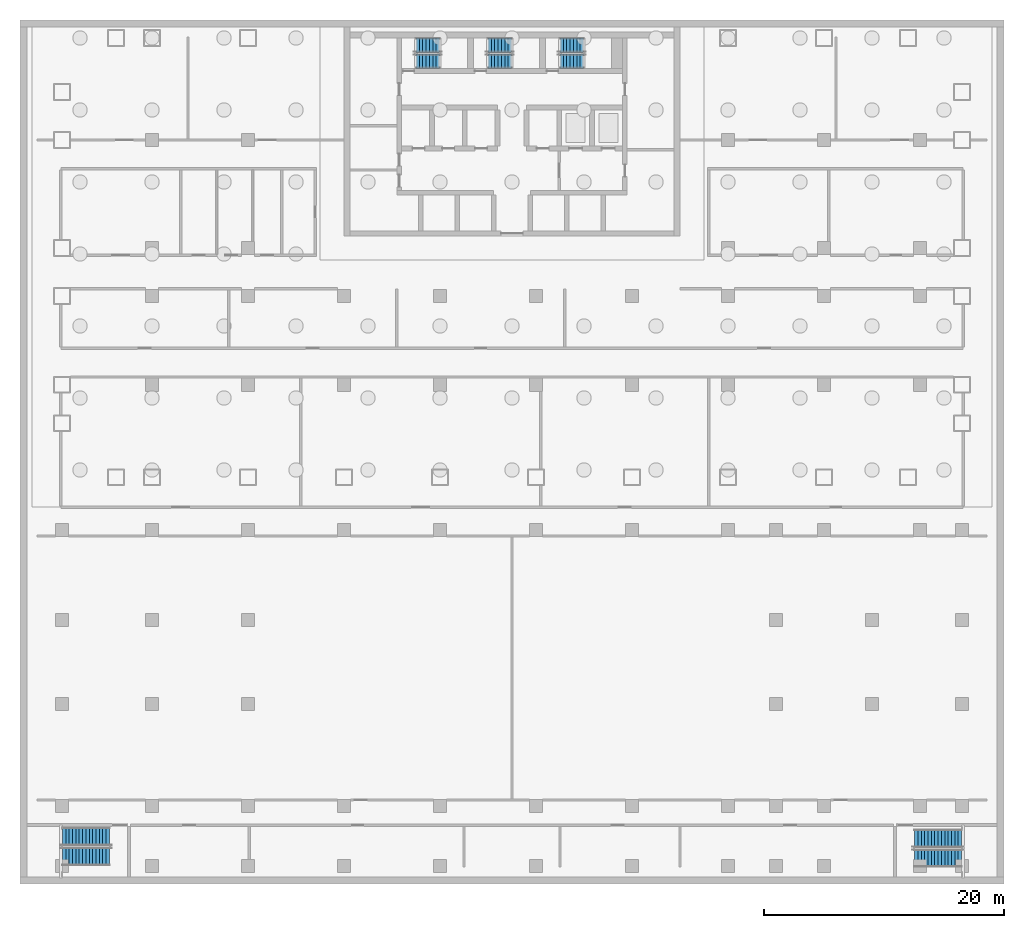
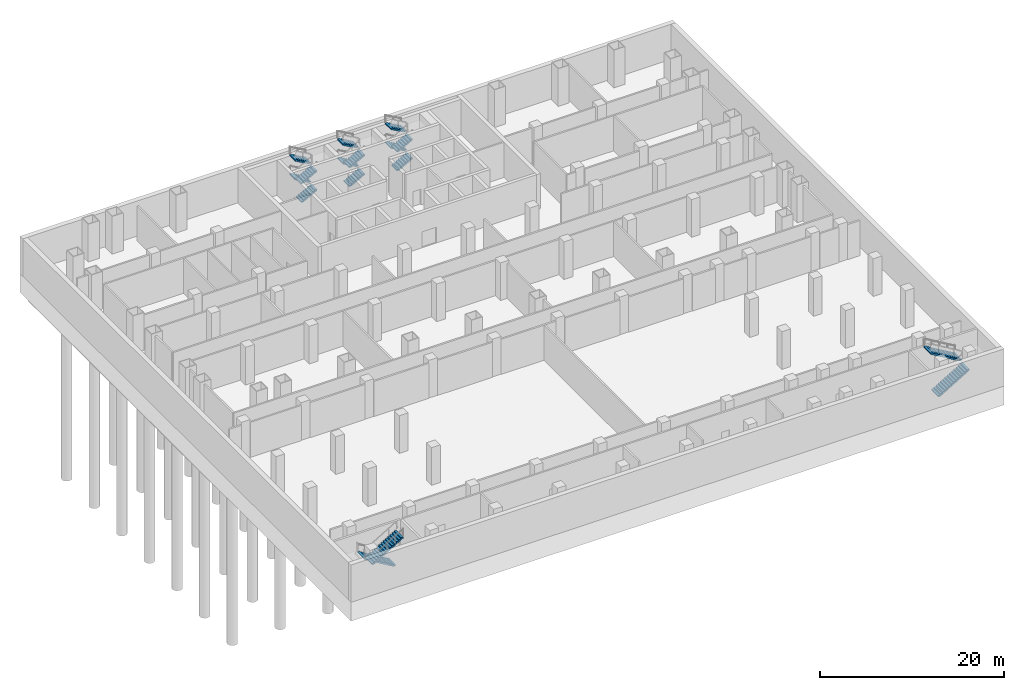
# One storey, part 10 of 14: 16 stair flights, 5 elements without a shape of their own.
"""IFC4 building model written with IfcOpenShell, lengths in metres."""

import ifcopenshell
import ifcopenshell.guid

model = None  # the IFC model being written
_history = None  # IfcOwnerHistory: only IFC2X3 demands one
_inside = {}  # id of a spatial element -> (the spatial element, [elements in it])
_under = {}  # id of a project, library or spatial element -> (it, [spatial elements below it])
_declared = {}  # id of a project -> (the project, [libraries it declares])
_typed = {}  # id of a type object -> (the type object, [elements of that type])
_made_of = {}  # id of a material, layer set ... -> (it, [elements and type objects made of it])


def new_model(schema):
    """Start an empty IFC model of exactly this schema.

    Asked for "IFC4X3", IfcOpenShell would pick the latest addendum, in which some entities
    have other attributes; the version numbers below select the first issue.
    IFC2X3 requires an IfcOwnerHistory on every rooted entity: one is made here for all.
    """
    global model, _history
    if schema == "IFC4X3":
        model = ifcopenshell.file(schema_version=(4, 3, 0, 0))
    else:
        model = ifcopenshell.file(schema=schema)
    _inside.clear()
    _under.clear()
    _declared.clear()
    _typed.clear()
    _made_of.clear()
    _history = None
    if model.schema == "IFC2X3":
        org = make("IfcOrganization", Name="unknown")
        user = make(
            "IfcPersonAndOrganization",
            ThePerson=make("IfcPerson", FamilyName="unknown"),
            TheOrganization=org,
        )
        app = make(
            "IfcApplication",
            ApplicationDeveloper=org,
            Version="unknown",
            ApplicationFullName="unknown",
            ApplicationIdentifier="unknown",
        )
        _history = make(
            "IfcOwnerHistory",
            OwningUser=user,
            OwningApplication=app,
            ChangeAction="ADDED",
            CreationDate=0,
        )
    return model


def make(cls, **values):
    """One entity of the class cls with the attributes given. An attribute that is None is left unset."""
    return model.create_entity(
        cls, **{name: value for name, value in values.items() if value is not None}
    )


def rooted(cls, **values):
    """An entity with a GlobalId (a new one), such as an element, a storey or a relation."""
    return make(cls, GlobalId=ifcopenshell.guid.new(), OwnerHistory=_history, **values)


def si_unit(unit_type, name, prefix=None):
    """IfcSIUnit, for example si_unit("LENGTHUNIT", "METRE", prefix="MILLI")."""
    return make("IfcSIUnit", UnitType=unit_type, Prefix=prefix, Name=name)


def assignment(units):
    """IfcUnitAssignment: the units of a project."""
    return None if units is None else make("IfcUnitAssignment", Units=units)


def point(xyz):
    """IfcCartesianPoint."""
    return None if xyz is None else make("IfcCartesianPoint", Coordinates=xyz)


def direction(xyz):
    """IfcDirection."""
    return None if xyz is None else make("IfcDirection", DirectionRatios=xyz)


def frame(location, z_axis=None, x_axis=None):
    """IfcAxis2Placement3D, a coordinate frame: its origin and axes. An axis left out is left unset."""
    return make(
        "IfcAxis2Placement3D",
        Location=point(location),
        Axis=direction(z_axis),
        RefDirection=direction(x_axis),
    )


def origin():
    """The frame at (0, 0, 0) with its axes left unset."""
    return frame((0.0, 0.0, 0.0))


def place(relative_to, where):
    """IfcLocalPlacement: puts the frame where relative to a parent placement (None: the world)."""
    return make(
        "IfcLocalPlacement", PlacementRelTo=relative_to, RelativePlacement=where
    )


def context(
    kind, dimensions, precision=None, world=None, true_north=None, identifier=None
):
    """IfcGeometricRepresentationContext, for example the 3D "Model" context."""
    return make(
        "IfcGeometricRepresentationContext",
        ContextIdentifier=identifier,
        ContextType=kind,
        CoordinateSpaceDimension=dimensions,
        Precision=precision,
        WorldCoordinateSystem=world,
        TrueNorth=true_north,
    )


def subcontext(parent, identifier, kind, view, scale=None):
    """IfcGeometricRepresentationSubContext, for example "Body" below "Model"."""
    return make(
        "IfcGeometricRepresentationSubContext",
        ContextIdentifier=identifier,
        ContextType=kind,
        ParentContext=parent,
        TargetScale=scale,
        TargetView=view,
    )


def project(units=None, contexts=None):
    """IfcProject with its units and contexts."""
    return rooted(
        "IfcProject",
        Name="project",
        RepresentationContexts=contexts,
        UnitsInContext=assignment(units),
    )


def spatial(cls, under=None, at=None, **own):
    """A site, building, storey or space (cls), placed at a placement, below another one or the project."""
    s = rooted(cls, ObjectPlacement=at, **own)
    if under is not None:
        _under.setdefault(under.id(), (under, []))[1].append(s)
    return s


def polyline(points):
    """IfcPolyline through the points."""
    return make("IfcPolyline", Points=[point(p) for p in points])


def outline(outer, holes=None, kind="AREA"):
    """IfcArbitraryClosedProfileDef: a profile drawn as a closed curve; with holes, ...WithVoids."""
    if holes is None:
        return make("IfcArbitraryClosedProfileDef", ProfileType=kind, OuterCurve=outer)
    return make(
        "IfcArbitraryProfileDefWithVoids",
        ProfileType=kind,
        OuterCurve=outer,
        InnerCurves=holes,
    )


def extrude(swept, where, along, depth):
    """IfcExtrudedAreaSolid: the profile swept, set in the frame where, extruded along a direction by depth."""
    return make(
        "IfcExtrudedAreaSolid",
        SweptArea=swept,
        Position=where,
        ExtrudedDirection=direction(along),
        Depth=depth,
    )


def shape(context_of_items, identifier, shape_type, items):
    """IfcShapeRepresentation: the items that make up one representation, for example the "Body"."""
    return make(
        "IfcShapeRepresentation",
        ContextOfItems=context_of_items,
        RepresentationIdentifier=identifier,
        RepresentationType=shape_type,
        Items=items,
    )


def material(Name=None, Category=None):
    """IfcMaterial."""
    return make("IfcMaterial", Name=Name, Category=Category)


def made_of(thing, what):
    """Note that an element or type object is made of a material, layer set ...; save() writes the relation."""
    if what is not None:
        _made_of.setdefault(what.id(), (what, []))[1].append(thing)
    return thing


def type_object(cls, material=None, **own):
    """A type object (cls), such as IfcWallType, which elements share."""
    return made_of(rooted(cls, **own), material)


def element(
    cls,
    number,
    at=None,
    inside=None,
    cuts=None,
    type_object=None,
    material=None,
    context=None,
    identifier="Body",
    shape_type=None,
    held_by="IfcProductDefinitionShape",
    body=None,
    shapes=None,
    **own,
):
    """One element of the class cls, such as IfcWall. Its Tag is "e" and its number.

    at: its placement. inside: the storey or other place that contains it. cuts: it is an
    opening in that element (IfcRelVoidsElement). A single representation is given by context,
    identifier, shape_type and body (its items); several are given by shapes. held_by: the class
    of the entity that holds the representations. save() writes the other relations.
    """
    e = rooted(cls, Tag="e%d" % number, ObjectPlacement=at, **own)
    if body is not None:
        shapes = [shape(context, identifier, shape_type, body)]
    if shapes is not None:
        e.Representation = make(held_by, Representations=shapes)
    if inside is not None:
        _inside.setdefault(inside.id(), (inside, []))[1].append(e)
    if cuts is not None:
        rooted(
            "IfcRelVoidsElement", RelatingBuildingElement=cuts, RelatedOpeningElement=e
        )
    if type_object is not None:
        _typed.setdefault(type_object.id(), (type_object, []))[1].append(e)
    return made_of(e, material)


def aggregate(whole, parts):
    """IfcRelAggregates: a whole, such as a stair, and the parts it consists of."""
    return rooted("IfcRelAggregates", RelatingObject=whole, RelatedObjects=parts)


def save(model, path):
    """Write the relations noted so far, then the file.

    IfcRelAggregates (storeys below a building ...), IfcRelContainedInSpatialStructure (elements
    in a storey), IfcRelDefinesByType, IfcRelAssociatesMaterial and IfcRelDeclares: one each for
    every whole, place, type object, material and project.
    """
    for whole, parts in _under.values():
        aggregate(whole, parts)
    for where, things in _inside.values():
        rooted(
            "IfcRelContainedInSpatialStructure",
            RelatedElements=things,
            RelatingStructure=where,
        )
    for kind, things in _typed.values():
        rooted("IfcRelDefinesByType", RelatedObjects=things, RelatingType=kind)
    for what, things in _made_of.values():
        rooted("IfcRelAssociatesMaterial", RelatedObjects=things, RelatingMaterial=what)
    for by, libraries in _declared.values():
        rooted("IfcRelDeclares", RelatingContext=by, RelatedDefinitions=libraries)
    model.write(path)


model = new_model("IFC4")

# Units and contexts
model_context = context("Model", 3, precision=1e-05, world=origin(), true_north=direction((0.0, 1.0)))
body_context = subcontext(model_context, "Body", "Model", "MODEL_VIEW")
ifc_project = project(units=[si_unit("LENGTHUNIT", "METRE"), si_unit("AREAUNIT", "SQUARE_METRE"), si_unit("VOLUMEUNIT", "CUBIC_METRE"), si_unit("PLANEANGLEUNIT", "RADIAN"), si_unit("MASSUNIT", "GRAM", prefix="KILO")], contexts=[model_context])

# Site, building, storey
site_placement = place(None, origin())
site = spatial("IfcSite", under=ifc_project, at=site_placement, CompositionType="ELEMENT")
building_placement = place(site_placement, origin())
building = spatial("IfcBuilding", under=site, at=building_placement, Name="Vidyagriha Tower", CompositionType="ELEMENT")
storey_placement = place(building_placement, frame((0.0, 0.0, -10.0)))
storey = spatial("IfcBuildingStorey", under=building, at=storey_placement, Name="B2", CompositionType="ELEMENT", Elevation=-10.0)

# Stair, stair flights
ifc_material_1 = material(Name="Concrete C40/50", Category="concrete")
stair_type_1 = type_object("IfcStairType", Name="Exit stair, half-turn, precast flights", PredefinedType="HALF_TURN_STAIR", material=ifc_material_1)
stair_1_placement = place(storey_placement, origin())
stair_1 = element("IfcStair", 1, at=stair_1_placement, inside=storey, type_object=stair_type_1, Name="B2 Exit Stair ST1", PredefinedType="HALF_TURN_STAIR")
ifc_material_2 = material(Name="Precast concrete C40/50", Category="concrete")
stair_flight_type_1 = type_object("IfcStairFlightType", Name="Exit stair flight 1200 mm, precast", PredefinedType="STRAIGHT", material=ifc_material_2)
stair_flight_1_placement = place(storey_placement, frame((-8.0, 17.550048828125, 0.0)))
stair_flight_1 = element("IfcStairFlight", 2, at=stair_flight_1_placement, type_object=stair_flight_type_1, Name="ST1 flight 1", NumberOfRisers=8, NumberOfTreads=7, PredefinedType="STRAIGHT", RiserHeight=0.15625, TreadLength=0.28, context=body_context, shape_type="SweptSolid", body=[
    extrude(outline(polyline([(0.0, 0.0), (0.0, 0.15625), (0.280029296875, 0.15625), (0.280029296875, 0.3125), (0.56005859375, 0.3125), (0.56005859375, 0.46875), (0.840087890625, 0.46875), (0.840087890625, 0.625), (1.1201171875, 0.625), (1.1201171875, 0.78125), (1.39990234375, 0.78125), (1.39990234375, 0.9375), (1.679931640625, 0.9375), (1.679931640625, 1.09375), (1.9599609375, 1.09375), (1.9599609375, 1.25), (1.9599609375, 0.922119140625), (0.3076171875, 0.0), (0.0, 0.0)])), frame((0.0, 0.60009765625, 0.0), z_axis=(0.0, -1.0, 0.0), x_axis=(1.0, 0.0, 0.0)), (0.0, 0.0, 1.0), 1.199951171875),
])
stair_flight_2_placement = place(storey_placement, frame((-6.0400390625, 18.89990234375, 1.25), z_axis=(0.0, 0.0, 1.0), x_axis=(-1.0, 0.0, 0.0)))
stair_flight_2 = element("IfcStairFlight", 3, at=stair_flight_2_placement, type_object=stair_flight_type_1, Name="ST1 flight 2", NumberOfRisers=8, NumberOfTreads=7, PredefinedType="STRAIGHT", RiserHeight=0.15625, TreadLength=0.28, context=body_context, shape_type="SweptSolid", body=[
    extrude(outline(polyline([(0.0, 0.0), (0.0, 0.15625), (0.280029296875, 0.15625), (0.280029296875, 0.3125), (0.56005859375, 0.3125), (0.56005859375, 0.46875), (0.840087890625, 0.46875), (0.840087890625, 0.625), (1.1201171875, 0.625), (1.1201171875, 0.78125), (1.39990234375, 0.78125), (1.39990234375, 0.9375), (1.679931640625, 0.9375), (1.679931640625, 1.09375), (1.9599609375, 1.09375), (1.9599609375, 1.25), (1.9599609375, 0.922119140625), (0.3076171875, 0.0), (0.0, 0.0)])), frame((0.0, 0.60009765625, 0.0), z_axis=(0.0, -1.0, 0.0), x_axis=(1.0, 0.0, 0.0)), (0.0, 0.0, 1.0), 1.199951171875),
])
stair_flight_3_placement = place(storey_placement, frame((-8.0, 17.550048828125, 2.5)))
stair_flight_3 = element("IfcStairFlight", 4, at=stair_flight_3_placement, type_object=stair_flight_type_1, Name="ST1 flight 3", NumberOfRisers=8, NumberOfTreads=7, PredefinedType="STRAIGHT", RiserHeight=0.15625, TreadLength=0.28, context=body_context, shape_type="SweptSolid", body=[
    extrude(outline(polyline([(0.0, 0.0), (0.0, 0.15625), (0.280029296875, 0.15625), (0.280029296875, 0.3125), (0.56005859375, 0.3125), (0.56005859375, 0.46875), (0.840087890625, 0.46875), (0.840087890625, 0.625), (1.1201171875, 0.625), (1.1201171875, 0.78125), (1.39990234375, 0.78125), (1.39990234375, 0.9375), (1.679931640625, 0.9375), (1.679931640625, 1.09375), (1.9599609375, 1.09375), (1.9599609375, 1.25), (1.9599609375, 0.922119140625), (0.3076171875, 0.0), (0.0, 0.0)])), frame((0.0, 0.60009765625, 0.0), z_axis=(0.0, -1.0, 0.0), x_axis=(1.0, 0.0, 0.0)), (0.0, 0.0, 1.0), 1.199951171875),
])
stair_flight_4_placement = place(storey_placement, frame((-6.0400390625, 18.89990234375, 3.75), z_axis=(0.0, 0.0, 1.0), x_axis=(-1.0, 0.0, 0.0)))
stair_flight_4 = element("IfcStairFlight", 5, at=stair_flight_4_placement, type_object=stair_flight_type_1, Name="ST1 flight 4", NumberOfRisers=8, NumberOfTreads=7, PredefinedType="STRAIGHT", RiserHeight=0.15625, TreadLength=0.28, context=body_context, shape_type="SweptSolid", body=[
    extrude(outline(polyline([(0.0, 0.0), (0.0, 0.15625), (0.280029296875, 0.15625), (0.280029296875, 0.3125), (0.56005859375, 0.3125), (0.56005859375, 0.46875), (0.840087890625, 0.46875), (0.840087890625, 0.625), (1.1201171875, 0.625), (1.1201171875, 0.78125), (1.39990234375, 0.78125), (1.39990234375, 0.9375), (1.679931640625, 0.9375), (1.679931640625, 1.09375), (1.9599609375, 1.09375), (1.9599609375, 1.25), (1.9599609375, 0.922119140625), (0.3076171875, 0.0), (0.0, 0.0)])), frame((0.0, 0.60009765625, 0.0), z_axis=(0.0, -1.0, 0.0), x_axis=(1.0, 0.0, 0.0)), (0.0, 0.0, 1.0), 1.199951171875),
])
aggregate(stair_1, [stair_flight_1, stair_flight_2, stair_flight_3, stair_flight_4])

stair_2_placement = place(storey_placement, origin())
stair_2 = element("IfcStair", 6, at=stair_2_placement, inside=storey, type_object=stair_type_1, Name="B2 Exit Stair ST2", PredefinedType="HALF_TURN_STAIR")
stair_flight_5_placement = place(storey_placement, frame((-2.0, 17.550048828125, 0.0)))
stair_flight_5 = element("IfcStairFlight", 7, at=stair_flight_5_placement, type_object=stair_flight_type_1, Name="ST2 flight 1", NumberOfRisers=8, NumberOfTreads=7, PredefinedType="STRAIGHT", RiserHeight=0.15625, TreadLength=0.28, context=body_context, shape_type="SweptSolid", body=[
    extrude(outline(polyline([(0.0, 0.0), (0.0, 0.15625), (0.280029296875, 0.15625), (0.280029296875, 0.3125), (0.56005859375, 0.3125), (0.56005859375, 0.46875), (0.840087890625, 0.46875), (0.840087890625, 0.625), (1.1201171875, 0.625), (1.1201171875, 0.78125), (1.39990234375, 0.78125), (1.39990234375, 0.9375), (1.679931640625, 0.9375), (1.679931640625, 1.09375), (1.9599609375, 1.09375), (1.9599609375, 1.25), (1.9599609375, 0.922119140625), (0.3076171875, 0.0), (0.0, 0.0)])), frame((0.0, 0.60009765625, 0.0), z_axis=(0.0, -1.0, 0.0), x_axis=(1.0, 0.0, 0.0)), (0.0, 0.0, 1.0), 1.199951171875),
])
stair_flight_6_placement = place(storey_placement, frame((-0.0400390625, 18.89990234375, 1.25), z_axis=(0.0, 0.0, 1.0), x_axis=(-1.0, 0.0, 0.0)))
stair_flight_6 = element("IfcStairFlight", 8, at=stair_flight_6_placement, type_object=stair_flight_type_1, Name="ST2 flight 2", NumberOfRisers=8, NumberOfTreads=7, PredefinedType="STRAIGHT", RiserHeight=0.15625, TreadLength=0.28, context=body_context, shape_type="SweptSolid", body=[
    extrude(outline(polyline([(0.0, 0.0), (0.0, 0.15625), (0.280029296875, 0.15625), (0.280029296875, 0.3125), (0.56005859375, 0.3125), (0.56005859375, 0.46875), (0.840087890625, 0.46875), (0.840087890625, 0.625), (1.1201171875, 0.625), (1.1201171875, 0.78125), (1.39990234375, 0.78125), (1.39990234375, 0.9375), (1.679931640625, 0.9375), (1.679931640625, 1.09375), (1.9599609375, 1.09375), (1.9599609375, 1.25), (1.9599609375, 0.922119140625), (0.3076171875, 0.0), (0.0, 0.0)])), frame((0.0, 0.60009765625, 0.0), z_axis=(0.0, -1.0, 0.0), x_axis=(1.0, 0.0, 0.0)), (0.0, 0.0, 1.0), 1.199951171875),
])
stair_flight_7_placement = place(storey_placement, frame((-2.0, 17.550048828125, 2.5)))
stair_flight_7 = element("IfcStairFlight", 9, at=stair_flight_7_placement, type_object=stair_flight_type_1, Name="ST2 flight 3", NumberOfRisers=8, NumberOfTreads=7, PredefinedType="STRAIGHT", RiserHeight=0.15625, TreadLength=0.28, context=body_context, shape_type="SweptSolid", body=[
    extrude(outline(polyline([(0.0, 0.0), (0.0, 0.15625), (0.280029296875, 0.15625), (0.280029296875, 0.3125), (0.56005859375, 0.3125), (0.56005859375, 0.46875), (0.840087890625, 0.46875), (0.840087890625, 0.625), (1.1201171875, 0.625), (1.1201171875, 0.78125), (1.39990234375, 0.78125), (1.39990234375, 0.9375), (1.679931640625, 0.9375), (1.679931640625, 1.09375), (1.9599609375, 1.09375), (1.9599609375, 1.25), (1.9599609375, 0.922119140625), (0.3076171875, 0.0), (0.0, 0.0)])), frame((0.0, 0.60009765625, 0.0), z_axis=(0.0, -1.0, 0.0), x_axis=(1.0, 0.0, 0.0)), (0.0, 0.0, 1.0), 1.199951171875),
])
stair_flight_8_placement = place(storey_placement, frame((-0.0400390625, 18.89990234375, 3.75), z_axis=(0.0, 0.0, 1.0), x_axis=(-1.0, 0.0, 0.0)))
stair_flight_8 = element("IfcStairFlight", 10, at=stair_flight_8_placement, type_object=stair_flight_type_1, Name="ST2 flight 4", NumberOfRisers=8, NumberOfTreads=7, PredefinedType="STRAIGHT", RiserHeight=0.15625, TreadLength=0.28, context=body_context, shape_type="SweptSolid", body=[
    extrude(outline(polyline([(0.0, 0.0), (0.0, 0.15625), (0.280029296875, 0.15625), (0.280029296875, 0.3125), (0.56005859375, 0.3125), (0.56005859375, 0.46875), (0.840087890625, 0.46875), (0.840087890625, 0.625), (1.1201171875, 0.625), (1.1201171875, 0.78125), (1.39990234375, 0.78125), (1.39990234375, 0.9375), (1.679931640625, 0.9375), (1.679931640625, 1.09375), (1.9599609375, 1.09375), (1.9599609375, 1.25), (1.9599609375, 0.922119140625), (0.3076171875, 0.0), (0.0, 0.0)])), frame((0.0, 0.60009765625, 0.0), z_axis=(0.0, -1.0, 0.0), x_axis=(1.0, 0.0, 0.0)), (0.0, 0.0, 1.0), 1.199951171875),
])
aggregate(stair_2, [stair_flight_5, stair_flight_6, stair_flight_7, stair_flight_8])

stair_3_placement = place(storey_placement, origin())
stair_3 = element("IfcStair", 11, at=stair_3_placement, inside=storey, type_object=stair_type_1, Name="B2 Exit Stair ST3", PredefinedType="HALF_TURN_STAIR")
stair_flight_9_placement = place(storey_placement, frame((4.0, 17.550048828125, 0.0)))
stair_flight_9 = element("IfcStairFlight", 12, at=stair_flight_9_placement, type_object=stair_flight_type_1, Name="ST3 flight 1", NumberOfRisers=8, NumberOfTreads=7, PredefinedType="STRAIGHT", RiserHeight=0.15625, TreadLength=0.28, context=body_context, shape_type="SweptSolid", body=[
    extrude(outline(polyline([(0.0, 0.0), (0.0, 0.15625), (0.280029296875, 0.15625), (0.280029296875, 0.3125), (0.56005859375, 0.3125), (0.56005859375, 0.46875), (0.840087890625, 0.46875), (0.840087890625, 0.625), (1.1201171875, 0.625), (1.1201171875, 0.78125), (1.39990234375, 0.78125), (1.39990234375, 0.9375), (1.679931640625, 0.9375), (1.679931640625, 1.09375), (1.9599609375, 1.09375), (1.9599609375, 1.25), (1.9599609375, 0.922119140625), (0.3076171875, 0.0), (0.0, 0.0)])), frame((0.0, 0.60009765625, 0.0), z_axis=(0.0, -1.0, 0.0), x_axis=(1.0, 0.0, 0.0)), (0.0, 0.0, 1.0), 1.199951171875),
])
stair_flight_10_placement = place(storey_placement, frame((5.9599609375, 18.89990234375, 1.25), z_axis=(0.0, 0.0, 1.0), x_axis=(-1.0, 0.0, 0.0)))
stair_flight_10 = element("IfcStairFlight", 13, at=stair_flight_10_placement, type_object=stair_flight_type_1, Name="ST3 flight 2", NumberOfRisers=8, NumberOfTreads=7, PredefinedType="STRAIGHT", RiserHeight=0.15625, TreadLength=0.28, context=body_context, shape_type="SweptSolid", body=[
    extrude(outline(polyline([(0.0, 0.0), (0.0, 0.15625), (0.280029296875, 0.15625), (0.280029296875, 0.3125), (0.56005859375, 0.3125), (0.56005859375, 0.46875), (0.840087890625, 0.46875), (0.840087890625, 0.625), (1.1201171875, 0.625), (1.1201171875, 0.78125), (1.39990234375, 0.78125), (1.39990234375, 0.9375), (1.679931640625, 0.9375), (1.679931640625, 1.09375), (1.9599609375, 1.09375), (1.9599609375, 1.25), (1.9599609375, 0.922119140625), (0.3076171875, 0.0), (0.0, 0.0)])), frame((0.0, 0.60009765625, 0.0), z_axis=(0.0, -1.0, 0.0), x_axis=(1.0, 0.0, 0.0)), (0.0, 0.0, 1.0), 1.199951171875),
])
stair_flight_11_placement = place(storey_placement, frame((4.0, 17.550048828125, 2.5)))
stair_flight_11 = element("IfcStairFlight", 14, at=stair_flight_11_placement, type_object=stair_flight_type_1, Name="ST3 flight 3", NumberOfRisers=8, NumberOfTreads=7, PredefinedType="STRAIGHT", RiserHeight=0.15625, TreadLength=0.28, context=body_context, shape_type="SweptSolid", body=[
    extrude(outline(polyline([(0.0, 0.0), (0.0, 0.15625), (0.280029296875, 0.15625), (0.280029296875, 0.3125), (0.56005859375, 0.3125), (0.56005859375, 0.46875), (0.840087890625, 0.46875), (0.840087890625, 0.625), (1.1201171875, 0.625), (1.1201171875, 0.78125), (1.39990234375, 0.78125), (1.39990234375, 0.9375), (1.679931640625, 0.9375), (1.679931640625, 1.09375), (1.9599609375, 1.09375), (1.9599609375, 1.25), (1.9599609375, 0.922119140625), (0.3076171875, 0.0), (0.0, 0.0)])), frame((0.0, 0.60009765625, 0.0), z_axis=(0.0, -1.0, 0.0), x_axis=(1.0, 0.0, 0.0)), (0.0, 0.0, 1.0), 1.199951171875),
])
stair_flight_12_placement = place(storey_placement, frame((5.9599609375, 18.89990234375, 3.75), z_axis=(0.0, 0.0, 1.0), x_axis=(-1.0, 0.0, 0.0)))
stair_flight_12 = element("IfcStairFlight", 15, at=stair_flight_12_placement, type_object=stair_flight_type_1, Name="ST3 flight 4", NumberOfRisers=8, NumberOfTreads=7, PredefinedType="STRAIGHT", RiserHeight=0.15625, TreadLength=0.28, context=body_context, shape_type="SweptSolid", body=[
    extrude(outline(polyline([(0.0, 0.0), (0.0, 0.15625), (0.280029296875, 0.15625), (0.280029296875, 0.3125), (0.56005859375, 0.3125), (0.56005859375, 0.46875), (0.840087890625, 0.46875), (0.840087890625, 0.625), (1.1201171875, 0.625), (1.1201171875, 0.78125), (1.39990234375, 0.78125), (1.39990234375, 0.9375), (1.679931640625, 0.9375), (1.679931640625, 1.09375), (1.9599609375, 1.09375), (1.9599609375, 1.25), (1.9599609375, 0.922119140625), (0.3076171875, 0.0), (0.0, 0.0)])), frame((0.0, 0.60009765625, 0.0), z_axis=(0.0, -1.0, 0.0), x_axis=(1.0, 0.0, 0.0)), (0.0, 0.0, 1.0), 1.199951171875),
])
aggregate(stair_3, [stair_flight_9, stair_flight_10, stair_flight_11, stair_flight_12])

ifc_material_3 = material(Name="Concrete C32/40", Category="concrete")
stair_type_2 = type_object("IfcStairType", Name="Podium Exit Stair 1500", PredefinedType="HALF_TURN_STAIR", material=ifc_material_3)
stair_4_placement = place(storey_placement, origin())
stair_4 = element("IfcStair", 16, at=stair_4_placement, inside=storey, type_object=stair_type_2, Name="B2 Exit Stair PS1", PredefinedType="HALF_TURN_STAIR")
ifc_material_4 = material(Name="Concrete C32/40", Category="concrete")
stair_flight_type_2 = type_object("IfcStairFlightType", Name="Podium Stair Flight 1500", PredefinedType="STRAIGHT", material=ifc_material_4)
stair_flight_13_placement = place(storey_placement, frame((-33.544921875, -47.050048828125, 0.0), z_axis=(0.0, 0.0, 1.0), x_axis=(-1.0, 0.0, 0.0)))
stair_flight_13 = element("IfcStairFlight", 17, at=stair_flight_13_placement, type_object=stair_flight_type_2, Name="PS1 flight 1", NumberOfRisers=15, NumberOfTreads=14, PredefinedType="STRAIGHT", RiserHeight=0.166666667, TreadLength=0.28, context=body_context, shape_type="SweptSolid", body=[
    extrude(outline(polyline([(0.0, 0.0), (0.0, 0.166748046875), (0.280029296875, 0.166748046875), (0.280029296875, 0.333251953125), (0.56005859375, 0.333251953125), (0.56005859375, 0.5), (0.840087890625, 0.5), (0.840087890625, 0.666748046875), (1.1201171875, 0.666748046875), (1.1201171875, 0.833251953125), (1.39990234375, 0.833251953125), (1.39990234375, 1.0), (1.679931640625, 1.0), (1.679931640625, 1.166748046875), (1.9599609375, 1.166748046875), (1.9599609375, 1.333251953125), (2.239990234375, 1.333251953125), (2.239990234375, 1.5), (2.52001953125, 1.5), (2.52001953125, 1.666748046875), (2.800048828125, 1.666748046875), (2.800048828125, 1.833251953125), (3.080078125, 1.833251953125), (3.080078125, 2.0), (3.360107421875, 2.0), (3.360107421875, 2.166748046875), (3.639892578125, 2.166748046875), (3.639892578125, 2.333251953125), (3.919921875, 2.333251953125), (3.919921875, 2.5), (3.919921875, 2.158935546875), (0.29296875, 0.0), (0.0, 0.0)])), frame((0.0, 0.75, 0.0), z_axis=(0.0, -1.0, 0.0), x_axis=(1.0, 0.0, 0.0)), (0.0, 0.0, 1.0), 1.5),
])
stair_flight_14_placement = place(storey_placement, frame((-37.465087890625, -48.699951171875, 2.5)))
stair_flight_14 = element("IfcStairFlight", 18, at=stair_flight_14_placement, type_object=stair_flight_type_2, Name="PS1 flight 2", NumberOfRisers=15, NumberOfTreads=14, PredefinedType="STRAIGHT", RiserHeight=0.166666667, TreadLength=0.28, context=body_context, shape_type="SweptSolid", body=[
    extrude(outline(polyline([(0.0, 0.0), (0.0, 0.166748046875), (0.280029296875, 0.166748046875), (0.280029296875, 0.333251953125), (0.56005859375, 0.333251953125), (0.56005859375, 0.5), (0.840087890625, 0.5), (0.840087890625, 0.666748046875), (1.1201171875, 0.666748046875), (1.1201171875, 0.833251953125), (1.39990234375, 0.833251953125), (1.39990234375, 1.0), (1.679931640625, 1.0), (1.679931640625, 1.166748046875), (1.9599609375, 1.166748046875), (1.9599609375, 1.333251953125), (2.239990234375, 1.333251953125), (2.239990234375, 1.5), (2.52001953125, 1.5), (2.52001953125, 1.666748046875), (2.800048828125, 1.666748046875), (2.800048828125, 1.833251953125), (3.080078125, 1.833251953125), (3.080078125, 2.0), (3.360107421875, 2.0), (3.360107421875, 2.166748046875), (3.639892578125, 2.166748046875), (3.639892578125, 2.333251953125), (3.919921875, 2.333251953125), (3.919921875, 2.5), (3.919921875, 2.158935546875), (0.29296875, 0.0), (0.0, 0.0)])), frame((0.0, 0.75, 0.0), z_axis=(0.0, -1.0, 0.0), x_axis=(1.0, 0.0, 0.0)), (0.0, 0.0, 1.0), 1.5),
])
aggregate(stair_4, [stair_flight_13, stair_flight_14])

stair_5_placement = place(storey_placement, origin())
stair_5 = element("IfcStair", 19, at=stair_5_placement, inside=storey, type_object=stair_type_2, Name="B2 Exit Stair PS2", PredefinedType="HALF_TURN_STAIR")
stair_flight_15_placement = place(storey_placement, frame((33.544921875, -48.85009765625, 0.0)))
stair_flight_15 = element("IfcStairFlight", 20, at=stair_flight_15_placement, type_object=stair_flight_type_2, Name="PS2 flight 1", NumberOfRisers=15, NumberOfTreads=14, PredefinedType="STRAIGHT", RiserHeight=0.166666667, TreadLength=0.28, context=body_context, shape_type="SweptSolid", body=[
    extrude(outline(polyline([(0.0, 0.0), (0.0, 0.166748046875), (0.280029296875, 0.166748046875), (0.280029296875, 0.333251953125), (0.56005859375, 0.333251953125), (0.56005859375, 0.5), (0.840087890625, 0.5), (0.840087890625, 0.666748046875), (1.1201171875, 0.666748046875), (1.1201171875, 0.833251953125), (1.39990234375, 0.833251953125), (1.39990234375, 1.0), (1.679931640625, 1.0), (1.679931640625, 1.166748046875), (1.9599609375, 1.166748046875), (1.9599609375, 1.333251953125), (2.239990234375, 1.333251953125), (2.239990234375, 1.5), (2.52001953125, 1.5), (2.52001953125, 1.666748046875), (2.800048828125, 1.666748046875), (2.800048828125, 1.833251953125), (3.080078125, 1.833251953125), (3.080078125, 2.0), (3.360107421875, 2.0), (3.360107421875, 2.166748046875), (3.639892578125, 2.166748046875), (3.639892578125, 2.333251953125), (3.919921875, 2.333251953125), (3.919921875, 2.5), (3.919921875, 2.158935546875), (0.29296875, 0.0), (0.0, 0.0)])), frame((0.0, 0.75, 0.0), z_axis=(0.0, -1.0, 0.0), x_axis=(1.0, 0.0, 0.0)), (0.0, 0.0, 1.0), 1.5),
])
stair_flight_16_placement = place(storey_placement, frame((37.465087890625, -47.199951171875, 2.5), z_axis=(0.0, 0.0, 1.0), x_axis=(-1.0, 0.0, 0.0)))
stair_flight_16 = element("IfcStairFlight", 21, at=stair_flight_16_placement, type_object=stair_flight_type_2, Name="PS2 flight 2", NumberOfRisers=15, NumberOfTreads=14, PredefinedType="STRAIGHT", RiserHeight=0.166666667, TreadLength=0.28, context=body_context, shape_type="SweptSolid", body=[
    extrude(outline(polyline([(0.0, 0.0), (0.0, 0.166748046875), (0.280029296875, 0.166748046875), (0.280029296875, 0.333251953125), (0.56005859375, 0.333251953125), (0.56005859375, 0.5), (0.840087890625, 0.5), (0.840087890625, 0.666748046875), (1.1201171875, 0.666748046875), (1.1201171875, 0.833251953125), (1.39990234375, 0.833251953125), (1.39990234375, 1.0), (1.679931640625, 1.0), (1.679931640625, 1.166748046875), (1.9599609375, 1.166748046875), (1.9599609375, 1.333251953125), (2.239990234375, 1.333251953125), (2.239990234375, 1.5), (2.52001953125, 1.5), (2.52001953125, 1.666748046875), (2.800048828125, 1.666748046875), (2.800048828125, 1.833251953125), (3.080078125, 1.833251953125), (3.080078125, 2.0), (3.360107421875, 2.0), (3.360107421875, 2.166748046875), (3.639892578125, 2.166748046875), (3.639892578125, 2.333251953125), (3.919921875, 2.333251953125), (3.919921875, 2.5), (3.919921875, 2.158935546875), (0.29296875, 0.0), (0.0, 0.0)])), frame((0.0, 0.75, 0.0), z_axis=(0.0, -1.0, 0.0), x_axis=(1.0, 0.0, 0.0)), (0.0, 0.0, 1.0), 1.5),
])
aggregate(stair_5, [stair_flight_15, stair_flight_16])

save(model, "model.ifc")
